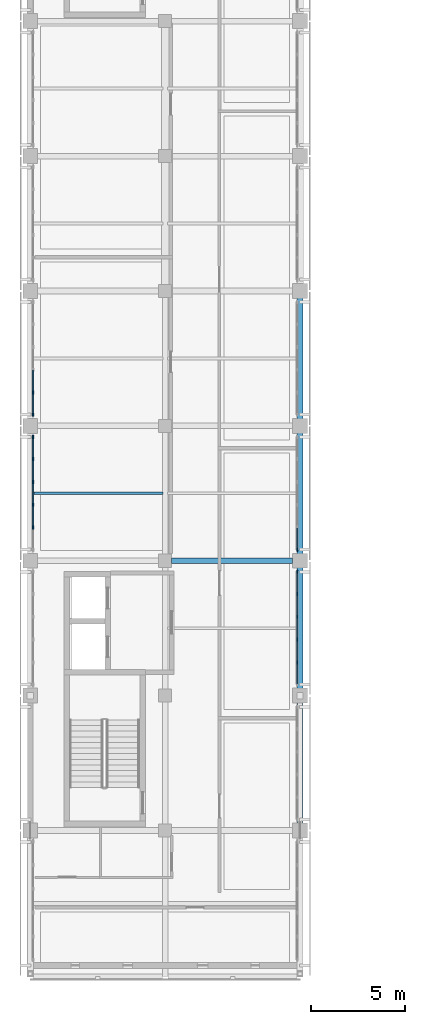
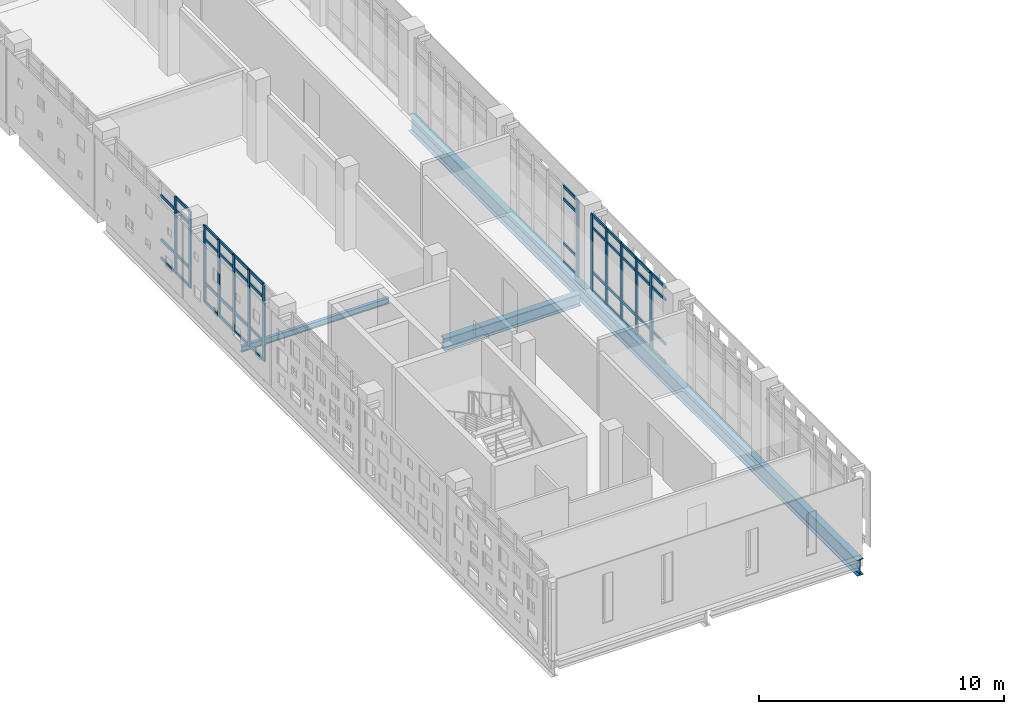
# One storey, part 9 of 33: 60 members, 3 beams, 4 elements without a shape of their own.
"""IFC4 building model written with IfcOpenShell, lengths in metres."""

from ifc_helpers import new_model, si_unit, direction, frame, origin, origin_2d, place, context, subcontext, project, spatial, rectangle, i_section, extrude, material, layer, layer_set, material_profile, profile_set, type_object, element, aggregate, save


model = new_model("IFC4")

# Units and contexts
model_context = context("Model", 3, precision=1e-05, world=origin(), true_north=direction((0.0, 1.0)))
body_context = subcontext(model_context, "Body", "Model", "MODEL_VIEW")
ifc_project = project(units=[si_unit("LENGTHUNIT", "METRE"), si_unit("AREAUNIT", "SQUARE_METRE"), si_unit("VOLUMEUNIT", "CUBIC_METRE"), si_unit("PLANEANGLEUNIT", "RADIAN"), si_unit("MASSUNIT", "GRAM", prefix="KILO")], contexts=[model_context])

# Site, building, storey
site_placement = place(None, origin())
site = spatial("IfcSite", under=ifc_project, at=site_placement, CompositionType="ELEMENT")
building_placement = place(site_placement, origin())
building = spatial("IfcBuilding", under=site, at=building_placement, Name="Valkovuoma Quantum and Materials Research Institute", CompositionType="ELEMENT")
storey_placement = place(building_placement, frame((0.0, 0.0, 25.60009765625)))
storey = spatial("IfcBuildingStorey", under=building, at=storey_placement, Name="L06", CompositionType="ELEMENT", Elevation=25.60009765625)

# Beams
ifc_material_1 = material(Name="Steel S355J2", Category="steel")
ifc_material_profile_1 = material_profile(ifc_material_1, i_section(OverallWidth=0.300048828125, OverallDepth=0.60009765625, WebThickness=0.015380859375, FlangeThickness=0.030029296875, FilletRadius=0.027099609375, at=origin_2d()), Name="Steel S355J2")
ifc_profile_set_1 = profile_set([ifc_material_profile_1], Name="Steel S355J2")
beam_type_1 = type_object("IfcBeamType", Name="Beam-B-HEB600", PredefinedType="BEAM", material=ifc_profile_set_1)
beam_1_placement = place(storey_placement, frame((7.550048828125, 43.199951171875, -0.650146484375), z_axis=(1.0, 0.0, 0.0), x_axis=(0.0, 1.0, 0.0)))
element("IfcBeam", 1, at=beam_1_placement, inside=storey, type_object=beam_type_1, Name="L06 beam X-2327", PredefinedType="BEAM", context=body_context, shape_type="SweptSolid", body=[
    extrude(i_section(OverallWidth=0.300048828125, OverallDepth=0.60009765625, WebThickness=0.015380859375, FlangeThickness=0.030029296875, FilletRadius=0.027099609375, at=origin_2d()), origin(), (0.0, 0.0, 1.0), 6.449951171875),
])
ifc_material_2 = material(Name="Steel S355J2", Category="steel")
ifc_material_profile_2 = material_profile(ifc_material_2, i_section(OverallWidth=0.300048828125, OverallDepth=0.800048828125, WebThickness=0.017578125, FlangeThickness=0.032958984375, FilletRadius=0.030029296875, at=origin_2d()), Name="Steel S355J2")
ifc_profile_set_2 = profile_set([ifc_material_profile_2], Name="Steel S355J2")
beam_type_2 = type_object("IfcBeamType", Name="Beam-B-HEB800", PredefinedType="BEAM", material=ifc_profile_set_2)
beam_2_placement = place(storey_placement, frame((14.39990234375, 21.0, -0.75), z_axis=(0.0, 1.0, 0.0), x_axis=(-1.0, 0.0, 0.0)))
element("IfcBeam", 2, at=beam_2_placement, inside=storey, type_object=beam_type_2, Name="L06 cantilever girder X2", PredefinedType="BEAM", context=body_context, shape_type="SweptSolid", body=[
    extrude(i_section(OverallWidth=0.300048828125, OverallDepth=0.800048828125, WebThickness=0.017578125, FlangeThickness=0.032958984375, FilletRadius=0.030029296875, at=origin_2d()), origin(), (0.0, 0.0, 1.0), 36.60009765625),
])
ifc_material_3 = material(Name="Steel S355J2", Category="steel")
ifc_material_profile_3 = material_profile(ifc_material_3, i_section(OverallWidth=0.14990234375, OverallDepth=0.300048828125, WebThickness=0.007080078125, FlangeThickness=0.0107421875, FilletRadius=0.014892578125, at=origin_2d()), Name="Steel S355J2")
ifc_profile_set_3 = profile_set([ifc_material_profile_3], Name="Steel S355J2")
beam_type_3 = type_object("IfcBeamType", Name="Beam-B-JST300", PredefinedType="JOIST", material=ifc_profile_set_3)
beam_3_placement = place(storey_placement, frame((0.1201171875, 46.800048828125, -0.5), z_axis=(1.0, 0.0, 0.0), x_axis=(0.0, 1.0, 0.0)))
element("IfcBeam", 3, at=beam_3_placement, inside=storey, type_object=beam_type_3, Name="L06 floor joist 2444", PredefinedType="JOIST", context=body_context, shape_type="SweptSolid", body=[
    extrude(i_section(OverallWidth=0.14990234375, OverallDepth=0.300048828125, WebThickness=0.007080078125, FlangeThickness=0.0107421875, FilletRadius=0.014892578125, at=origin_2d()), origin(), (0.0, 0.0, 1.0), 6.9599609375),
])

# Curtain wall, members
ifc_material_4 = material(Name="Thermally broken aluminium and triple low-E glazing", Category="aluminium")
ifc_layer = layer(ifc_material_4, 0.219970703125)
ifc_layer_set = layer_set([ifc_layer], Name="Thermally broken aluminium and triple low-E glazing")
curtain_wall_type = type_object("IfcCurtainWallType", Name="CW-CW-01", PredefinedType="NOTDEFINED", material=ifc_layer_set)
curtain_wall_1_placement = place(storey_placement, origin())
curtain_wall_1 = element("IfcCurtainWall", 4, at=curtain_wall_1_placement, inside=storey, type_object=curtain_wall_type, Name="L06 curtain wall 077", PredefinedType="NOTDEFINED")
ifc_material_5 = material(Name="Anodised aluminium 6060-T66", Category="aluminium")
ifc_material_profile_4 = material_profile(ifc_material_5, rectangle(XDim=0.06494140625, YDim=0.179931640625, at=origin_2d()), Name="Anodised aluminium 6060-T66")
ifc_profile_set_4 = profile_set([ifc_material_profile_4], Name="Anodised aluminium 6060-T66")
member_type_1 = type_object("IfcMemberType", Name="CWMull-CWM-01", PredefinedType="MULLION", material=ifc_profile_set_4)
member_1_placement = place(storey_placement, frame((14.25, 37.774169921875, 0.0), z_axis=(0.0, 0.0, 1.0), x_axis=(-1.0, 0.0, 0.0)))
member_1 = element("IfcMember", 5, at=member_1_placement, type_object=member_type_1, Name="CW-01 mullion 2", PredefinedType="MULLION", context=body_context, shape_type="SweptSolid", body=[
    extrude(rectangle(XDim=0.06494140625, YDim=0.179931640625, at=origin_2d()), origin(), (0.0, 0.0, 1.0), 3.809814453125),
])
member_2_placement = place(storey_placement, frame((14.25, 38.991455078125, 0.0), z_axis=(0.0, 0.0, 1.0), x_axis=(-1.0, 0.0, 0.0)))
member_2 = element("IfcMember", 6, at=member_2_placement, type_object=member_type_1, Name="CW-01 mullion 3", PredefinedType="MULLION", context=body_context, shape_type="SweptSolid", body=[
    extrude(rectangle(XDim=0.06494140625, YDim=0.179931640625, at=origin_2d()), origin(), (0.0, 0.0, 1.0), 3.809814453125),
])
member_3_placement = place(storey_placement, frame((14.25, 40.20849609375, 0.0), z_axis=(0.0, 0.0, 1.0), x_axis=(-1.0, 0.0, 0.0)))
member_3 = element("IfcMember", 7, at=member_3_placement, type_object=member_type_1, Name="CW-01 mullion 4", PredefinedType="MULLION", context=body_context, shape_type="SweptSolid", body=[
    extrude(rectangle(XDim=0.06494140625, YDim=0.179931640625, at=origin_2d()), origin(), (0.0, 0.0, 1.0), 3.809814453125),
])
member_4_placement = place(storey_placement, frame((14.25, 41.42578125, 0.0), z_axis=(0.0, 0.0, 1.0), x_axis=(-1.0, 0.0, 0.0)))
member_4 = element("IfcMember", 8, at=member_4_placement, type_object=member_type_1, Name="CW-01 mullion 5", PredefinedType="MULLION", context=body_context, shape_type="SweptSolid", body=[
    extrude(rectangle(XDim=0.06494140625, YDim=0.179931640625, at=origin_2d()), origin(), (0.0, 0.0, 1.0), 3.809814453125),
])
member_5_placement = place(storey_placement, frame((14.25, 42.6103515625, 0.0), z_axis=(0.0, 0.0, 1.0), x_axis=(-1.0, 0.0, 0.0)))
member_5 = element("IfcMember", 9, at=member_5_placement, type_object=member_type_1, Name="CW-01 mullion 6", PredefinedType="MULLION", context=body_context, shape_type="SweptSolid", body=[
    extrude(rectangle(XDim=0.06494140625, YDim=0.179931640625, at=origin_2d()), origin(), (0.0, 0.0, 1.0), 3.809814453125),
])

curtain_wall_2_placement = place(storey_placement, origin())
curtain_wall_2 = element("IfcCurtainWall", 10, at=curtain_wall_2_placement, inside=storey, type_object=curtain_wall_type, Name="L06 curtain wall 078", PredefinedType="NOTDEFINED")
member_6_placement = place(storey_placement, frame((0.14990234375, 44.974365234375, 0.0), z_axis=(0.0, 0.0, 1.0), x_axis=(-1.0, 0.0, 0.0)))
member_6 = element("IfcMember", 11, at=member_6_placement, type_object=member_type_1, Name="CW-01 mullion 2", PredefinedType="MULLION", context=body_context, shape_type="SweptSolid", body=[
    extrude(rectangle(XDim=0.06494140625, YDim=0.179931640625, at=origin_2d()), origin(), (0.0, 0.0, 1.0), 3.809814453125),
])
member_7_placement = place(storey_placement, frame((0.14990234375, 46.19140625, 0.0), z_axis=(0.0, 0.0, 1.0), x_axis=(-1.0, 0.0, 0.0)))
member_7 = element("IfcMember", 12, at=member_7_placement, type_object=member_type_1, Name="CW-01 mullion 3", PredefinedType="MULLION", context=body_context, shape_type="SweptSolid", body=[
    extrude(rectangle(XDim=0.06494140625, YDim=0.179931640625, at=origin_2d()), origin(), (0.0, 0.0, 1.0), 3.809814453125),
])
member_8_placement = place(storey_placement, frame((0.14990234375, 47.40869140625, 0.0), z_axis=(0.0, 0.0, 1.0), x_axis=(-1.0, 0.0, 0.0)))
member_8 = element("IfcMember", 13, at=member_8_placement, type_object=member_type_1, Name="CW-01 mullion 4", PredefinedType="MULLION", context=body_context, shape_type="SweptSolid", body=[
    extrude(rectangle(XDim=0.06494140625, YDim=0.179931640625, at=origin_2d()), origin(), (0.0, 0.0, 1.0), 3.809814453125),
])
member_9_placement = place(storey_placement, frame((0.14990234375, 48.625732421875, 0.0), z_axis=(0.0, 0.0, 1.0), x_axis=(-1.0, 0.0, 0.0)))
member_9 = element("IfcMember", 14, at=member_9_placement, type_object=member_type_1, Name="CW-01 mullion 5", PredefinedType="MULLION", context=body_context, shape_type="SweptSolid", body=[
    extrude(rectangle(XDim=0.06494140625, YDim=0.179931640625, at=origin_2d()), origin(), (0.0, 0.0, 1.0), 3.809814453125),
])
member_10_placement = place(storey_placement, frame((0.14990234375, 49.810302734375, 0.0), z_axis=(0.0, 0.0, 1.0), x_axis=(-1.0, 0.0, 0.0)))
member_10 = element("IfcMember", 15, at=member_10_placement, type_object=member_type_1, Name="CW-01 mullion 6", PredefinedType="MULLION", context=body_context, shape_type="SweptSolid", body=[
    extrude(rectangle(XDim=0.06494140625, YDim=0.179931640625, at=origin_2d()), origin(), (0.0, 0.0, 1.0), 3.809814453125),
])

# Curtain wall, member
curtain_wall_3_placement = place(storey_placement, origin())
curtain_wall_3 = element("IfcCurtainWall", 16, at=curtain_wall_3_placement, inside=storey, type_object=curtain_wall_type, Name="L06 curtain wall 079", PredefinedType="NOTDEFINED")
member_11_placement = place(storey_placement, frame((14.25, 43.78955078125, 0.0), z_axis=(0.0, 0.0, 1.0), x_axis=(-1.0, 0.0, 0.0)))
member_11 = element("IfcMember", 17, at=member_11_placement, type_object=member_type_1, Name="CW-01 mullion 1", PredefinedType="MULLION", context=body_context, shape_type="SweptSolid", body=[
    extrude(rectangle(XDim=0.06494140625, YDim=0.179931640625, at=origin_2d()), origin(), (0.0, 0.0, 1.0), 3.809814453125),
])

# Curtain wall, members
curtain_wall_4_placement = place(storey_placement, origin())
curtain_wall_4 = element("IfcCurtainWall", 18, at=curtain_wall_4_placement, inside=storey, type_object=curtain_wall_type, Name="L06 curtain wall 080", PredefinedType="NOTDEFINED")
member_12_placement = place(storey_placement, frame((0.14990234375, 50.989501953125, 0.0), z_axis=(0.0, 0.0, 1.0), x_axis=(-1.0, 0.0, 0.0)))
member_12 = element("IfcMember", 19, at=member_12_placement, type_object=member_type_1, Name="CW-01 mullion 1", PredefinedType="MULLION", context=body_context, shape_type="SweptSolid", body=[
    extrude(rectangle(XDim=0.06494140625, YDim=0.179931640625, at=origin_2d()), origin(), (0.0, 0.0, 1.0), 3.809814453125),
])
member_13_placement = place(storey_placement, frame((0.14990234375, 52.17431640625, 0.0), z_axis=(0.0, 0.0, 1.0), x_axis=(-1.0, 0.0, 0.0)))
member_13 = element("IfcMember", 20, at=member_13_placement, type_object=member_type_1, Name="CW-01 mullion 2", PredefinedType="MULLION", context=body_context, shape_type="SweptSolid", body=[
    extrude(rectangle(XDim=0.06494140625, YDim=0.179931640625, at=origin_2d()), origin(), (0.0, 0.0, 1.0), 3.809814453125),
])

# Member
ifc_material_6 = material(Name="Anodised aluminium 6060-T66", Category="aluminium")
ifc_material_profile_5 = material_profile(ifc_material_6, rectangle(XDim=0.06494140625, YDim=0.139892578125, at=origin_2d()), Name="Anodised aluminium 6060-T66")
ifc_profile_set_5 = profile_set([ifc_material_profile_5], Name="Anodised aluminium 6060-T66")
member_type_2 = type_object("IfcMemberType", Name="CWTran-CWT-01", PredefinedType="USERDEFINED", material=ifc_profile_set_5)
member_14_placement = place(storey_placement, frame((14.25, 36.6220703125, 0.032470703125), z_axis=(0.0, 1.0, 0.0), x_axis=(-1.0, 0.0, 0.0)))
member_14 = element("IfcMember", 21, at=member_14_placement, type_object=member_type_2, Name="CW-01 transom 1.1", ObjectType="TRANSOM", PredefinedType="USERDEFINED", context=body_context, shape_type="SweptSolid", body=[
    extrude(rectangle(XDim=0.06494140625, YDim=0.139892578125, at=origin_2d()), origin(), (0.0, 0.0, 1.0), 1.11962890625),
])

member_15_placement = place(storey_placement, frame((14.25, 36.6220703125, 0.949951171875), z_axis=(0.0, 1.0, 0.0), x_axis=(-1.0, 0.0, 0.0)))
member_15 = element("IfcMember", 22, at=member_15_placement, type_object=member_type_2, Name="CW-01 transom 1.2", ObjectType="TRANSOM", PredefinedType="USERDEFINED", context=body_context, shape_type="SweptSolid", body=[
    extrude(rectangle(XDim=0.06494140625, YDim=0.139892578125, at=origin_2d()), origin(), (0.0, 0.0, 1.0), 1.11962890625),
])

member_16_placement = place(storey_placement, frame((14.25, 36.6220703125, 3.159912109375), z_axis=(0.0, 1.0, 0.0), x_axis=(-1.0, 0.0, 0.0)))
member_16 = element("IfcMember", 23, at=member_16_placement, type_object=member_type_2, Name="CW-01 transom 1.3", ObjectType="TRANSOM", PredefinedType="USERDEFINED", context=body_context, shape_type="SweptSolid", body=[
    extrude(rectangle(XDim=0.06494140625, YDim=0.139892578125, at=origin_2d()), origin(), (0.0, 0.0, 1.0), 1.11962890625),
])

member_17_placement = place(storey_placement, frame((14.25, 36.6220703125, 3.77734375), z_axis=(0.0, 1.0, 0.0), x_axis=(-1.0, 0.0, 0.0)))
member_17 = element("IfcMember", 24, at=member_17_placement, type_object=member_type_2, Name="CW-01 transom 1.4", ObjectType="TRANSOM", PredefinedType="USERDEFINED", context=body_context, shape_type="SweptSolid", body=[
    extrude(rectangle(XDim=0.06494140625, YDim=0.139892578125, at=origin_2d()), origin(), (0.0, 0.0, 1.0), 1.11962890625),
])

member_18_placement = place(storey_placement, frame((14.25, 37.806640625, 0.032470703125), z_axis=(0.0, 1.0, 0.0), x_axis=(-1.0, 0.0, 0.0)))
member_18 = element("IfcMember", 25, at=member_18_placement, type_object=member_type_2, Name="CW-01 transom 2.1", ObjectType="TRANSOM", PredefinedType="USERDEFINED", context=body_context, shape_type="SweptSolid", body=[
    extrude(rectangle(XDim=0.06494140625, YDim=0.139892578125, at=origin_2d()), origin(), (0.0, 0.0, 1.0), 1.15234375),
])

member_19_placement = place(storey_placement, frame((14.25, 37.806640625, 0.949951171875), z_axis=(0.0, 1.0, 0.0), x_axis=(-1.0, 0.0, 0.0)))
member_19 = element("IfcMember", 26, at=member_19_placement, type_object=member_type_2, Name="CW-01 transom 2.2", ObjectType="TRANSOM", PredefinedType="USERDEFINED", context=body_context, shape_type="SweptSolid", body=[
    extrude(rectangle(XDim=0.06494140625, YDim=0.139892578125, at=origin_2d()), origin(), (0.0, 0.0, 1.0), 1.15234375),
])

member_20_placement = place(storey_placement, frame((14.25, 37.806640625, 3.159912109375), z_axis=(0.0, 1.0, 0.0), x_axis=(-1.0, 0.0, 0.0)))
member_20 = element("IfcMember", 27, at=member_20_placement, type_object=member_type_2, Name="CW-01 transom 2.3", ObjectType="TRANSOM", PredefinedType="USERDEFINED", context=body_context, shape_type="SweptSolid", body=[
    extrude(rectangle(XDim=0.06494140625, YDim=0.139892578125, at=origin_2d()), origin(), (0.0, 0.0, 1.0), 1.15234375),
])

member_21_placement = place(storey_placement, frame((14.25, 37.806640625, 3.77734375), z_axis=(0.0, 1.0, 0.0), x_axis=(-1.0, 0.0, 0.0)))
member_21 = element("IfcMember", 28, at=member_21_placement, type_object=member_type_2, Name="CW-01 transom 2.4", ObjectType="TRANSOM", PredefinedType="USERDEFINED", context=body_context, shape_type="SweptSolid", body=[
    extrude(rectangle(XDim=0.06494140625, YDim=0.139892578125, at=origin_2d()), origin(), (0.0, 0.0, 1.0), 1.15234375),
])

member_22_placement = place(storey_placement, frame((14.25, 39.02392578125, 0.032470703125), z_axis=(0.0, 1.0, 0.0), x_axis=(-1.0, 0.0, 0.0)))
member_22 = element("IfcMember", 29, at=member_22_placement, type_object=member_type_2, Name="CW-01 transom 3.1", ObjectType="TRANSOM", PredefinedType="USERDEFINED", context=body_context, shape_type="SweptSolid", body=[
    extrude(rectangle(XDim=0.06494140625, YDim=0.139892578125, at=origin_2d()), origin(), (0.0, 0.0, 1.0), 1.152099609375),
])

member_23_placement = place(storey_placement, frame((14.25, 39.02392578125, 0.949951171875), z_axis=(0.0, 1.0, 0.0), x_axis=(-1.0, 0.0, 0.0)))
member_23 = element("IfcMember", 30, at=member_23_placement, type_object=member_type_2, Name="CW-01 transom 3.2", ObjectType="TRANSOM", PredefinedType="USERDEFINED", context=body_context, shape_type="SweptSolid", body=[
    extrude(rectangle(XDim=0.06494140625, YDim=0.139892578125, at=origin_2d()), origin(), (0.0, 0.0, 1.0), 1.152099609375),
])

member_24_placement = place(storey_placement, frame((14.25, 39.02392578125, 3.159912109375), z_axis=(0.0, 1.0, 0.0), x_axis=(-1.0, 0.0, 0.0)))
member_24 = element("IfcMember", 31, at=member_24_placement, type_object=member_type_2, Name="CW-01 transom 3.3", ObjectType="TRANSOM", PredefinedType="USERDEFINED", context=body_context, shape_type="SweptSolid", body=[
    extrude(rectangle(XDim=0.06494140625, YDim=0.139892578125, at=origin_2d()), origin(), (0.0, 0.0, 1.0), 1.152099609375),
])

member_25_placement = place(storey_placement, frame((14.25, 39.02392578125, 3.77734375), z_axis=(0.0, 1.0, 0.0), x_axis=(-1.0, 0.0, 0.0)))
member_25 = element("IfcMember", 32, at=member_25_placement, type_object=member_type_2, Name="CW-01 transom 3.4", ObjectType="TRANSOM", PredefinedType="USERDEFINED", context=body_context, shape_type="SweptSolid", body=[
    extrude(rectangle(XDim=0.06494140625, YDim=0.139892578125, at=origin_2d()), origin(), (0.0, 0.0, 1.0), 1.152099609375),
])

member_26_placement = place(storey_placement, frame((14.25, 40.240966796875, 0.032470703125), z_axis=(0.0, 1.0, 0.0), x_axis=(-1.0, 0.0, 0.0)))
member_26 = element("IfcMember", 33, at=member_26_placement, type_object=member_type_2, Name="CW-01 transom 4.1", ObjectType="TRANSOM", PredefinedType="USERDEFINED", context=body_context, shape_type="SweptSolid", body=[
    extrude(rectangle(XDim=0.06494140625, YDim=0.139892578125, at=origin_2d()), origin(), (0.0, 0.0, 1.0), 1.15234375),
])

member_27_placement = place(storey_placement, frame((14.25, 40.240966796875, 0.949951171875), z_axis=(0.0, 1.0, 0.0), x_axis=(-1.0, 0.0, 0.0)))
member_27 = element("IfcMember", 34, at=member_27_placement, type_object=member_type_2, Name="CW-01 transom 4.2", ObjectType="TRANSOM", PredefinedType="USERDEFINED", context=body_context, shape_type="SweptSolid", body=[
    extrude(rectangle(XDim=0.06494140625, YDim=0.139892578125, at=origin_2d()), origin(), (0.0, 0.0, 1.0), 1.15234375),
])

member_28_placement = place(storey_placement, frame((14.25, 40.240966796875, 3.159912109375), z_axis=(0.0, 1.0, 0.0), x_axis=(-1.0, 0.0, 0.0)))
member_28 = element("IfcMember", 35, at=member_28_placement, type_object=member_type_2, Name="CW-01 transom 4.3", ObjectType="TRANSOM", PredefinedType="USERDEFINED", context=body_context, shape_type="SweptSolid", body=[
    extrude(rectangle(XDim=0.06494140625, YDim=0.139892578125, at=origin_2d()), origin(), (0.0, 0.0, 1.0), 1.15234375),
])

member_29_placement = place(storey_placement, frame((14.25, 40.240966796875, 3.77734375), z_axis=(0.0, 1.0, 0.0), x_axis=(-1.0, 0.0, 0.0)))
member_29 = element("IfcMember", 36, at=member_29_placement, type_object=member_type_2, Name="CW-01 transom 4.4", ObjectType="TRANSOM", PredefinedType="USERDEFINED", context=body_context, shape_type="SweptSolid", body=[
    extrude(rectangle(XDim=0.06494140625, YDim=0.139892578125, at=origin_2d()), origin(), (0.0, 0.0, 1.0), 1.15234375),
])

member_30_placement = place(storey_placement, frame((14.25, 41.458251953125, 0.032470703125), z_axis=(0.0, 1.0, 0.0), x_axis=(-1.0, 0.0, 0.0)))
member_30 = element("IfcMember", 37, at=member_30_placement, type_object=member_type_2, Name="CW-01 transom 5.1", ObjectType="TRANSOM", PredefinedType="USERDEFINED", context=body_context, shape_type="SweptSolid", body=[
    extrude(rectangle(XDim=0.06494140625, YDim=0.139892578125, at=origin_2d()), origin(), (0.0, 0.0, 1.0), 1.11962890625),
])

member_31_placement = place(storey_placement, frame((14.25, 41.458251953125, 0.949951171875), z_axis=(0.0, 1.0, 0.0), x_axis=(-1.0, 0.0, 0.0)))
member_31 = element("IfcMember", 38, at=member_31_placement, type_object=member_type_2, Name="CW-01 transom 5.2", ObjectType="TRANSOM", PredefinedType="USERDEFINED", context=body_context, shape_type="SweptSolid", body=[
    extrude(rectangle(XDim=0.06494140625, YDim=0.139892578125, at=origin_2d()), origin(), (0.0, 0.0, 1.0), 1.11962890625),
])

member_32_placement = place(storey_placement, frame((14.25, 41.458251953125, 3.159912109375), z_axis=(0.0, 1.0, 0.0), x_axis=(-1.0, 0.0, 0.0)))
member_32 = element("IfcMember", 39, at=member_32_placement, type_object=member_type_2, Name="CW-01 transom 5.3", ObjectType="TRANSOM", PredefinedType="USERDEFINED", context=body_context, shape_type="SweptSolid", body=[
    extrude(rectangle(XDim=0.06494140625, YDim=0.139892578125, at=origin_2d()), origin(), (0.0, 0.0, 1.0), 1.11962890625),
])

member_33_placement = place(storey_placement, frame((14.25, 41.458251953125, 3.77734375), z_axis=(0.0, 1.0, 0.0), x_axis=(-1.0, 0.0, 0.0)))
member_33 = element("IfcMember", 40, at=member_33_placement, type_object=member_type_2, Name="CW-01 transom 5.4", ObjectType="TRANSOM", PredefinedType="USERDEFINED", context=body_context, shape_type="SweptSolid", body=[
    extrude(rectangle(XDim=0.06494140625, YDim=0.139892578125, at=origin_2d()), origin(), (0.0, 0.0, 1.0), 1.11962890625),
])

aggregate(curtain_wall_1, [member_1, member_2, member_3, member_4, member_5, member_14, member_15, member_16, member_17, member_18, member_19, member_20, member_21, member_22, member_23, member_24, member_25, member_26, member_27, member_28, member_29, member_30, member_31, member_32, member_33])

member_34_placement = place(storey_placement, frame((0.14990234375, 45.0068359375, 0.032470703125), z_axis=(0.0, 1.0, 0.0), x_axis=(-1.0, 0.0, 0.0)))
member_34 = element("IfcMember", 41, at=member_34_placement, type_object=member_type_2, Name="CW-01 transom 2.1", ObjectType="TRANSOM", PredefinedType="USERDEFINED", context=body_context, shape_type="SweptSolid", body=[
    extrude(rectangle(XDim=0.06494140625, YDim=0.139892578125, at=origin_2d()), origin(), (0.0, 0.0, 1.0), 1.152099609375),
])

member_35_placement = place(storey_placement, frame((0.14990234375, 45.0068359375, 0.949951171875), z_axis=(0.0, 1.0, 0.0), x_axis=(-1.0, 0.0, 0.0)))
member_35 = element("IfcMember", 42, at=member_35_placement, type_object=member_type_2, Name="CW-01 transom 2.2", ObjectType="TRANSOM", PredefinedType="USERDEFINED", context=body_context, shape_type="SweptSolid", body=[
    extrude(rectangle(XDim=0.06494140625, YDim=0.139892578125, at=origin_2d()), origin(), (0.0, 0.0, 1.0), 1.152099609375),
])

member_36_placement = place(storey_placement, frame((0.14990234375, 45.0068359375, 3.159912109375), z_axis=(0.0, 1.0, 0.0), x_axis=(-1.0, 0.0, 0.0)))
member_36 = element("IfcMember", 43, at=member_36_placement, type_object=member_type_2, Name="CW-01 transom 2.3", ObjectType="TRANSOM", PredefinedType="USERDEFINED", context=body_context, shape_type="SweptSolid", body=[
    extrude(rectangle(XDim=0.06494140625, YDim=0.139892578125, at=origin_2d()), origin(), (0.0, 0.0, 1.0), 1.152099609375),
])

member_37_placement = place(storey_placement, frame((0.14990234375, 45.0068359375, 3.77734375), z_axis=(0.0, 1.0, 0.0), x_axis=(-1.0, 0.0, 0.0)))
member_37 = element("IfcMember", 44, at=member_37_placement, type_object=member_type_2, Name="CW-01 transom 2.4", ObjectType="TRANSOM", PredefinedType="USERDEFINED", context=body_context, shape_type="SweptSolid", body=[
    extrude(rectangle(XDim=0.06494140625, YDim=0.139892578125, at=origin_2d()), origin(), (0.0, 0.0, 1.0), 1.152099609375),
])

member_38_placement = place(storey_placement, frame((0.14990234375, 46.223876953125, 0.032470703125), z_axis=(0.0, 1.0, 0.0), x_axis=(-1.0, 0.0, 0.0)))
member_38 = element("IfcMember", 45, at=member_38_placement, type_object=member_type_2, Name="CW-01 transom 3.1", ObjectType="TRANSOM", PredefinedType="USERDEFINED", context=body_context, shape_type="SweptSolid", body=[
    extrude(rectangle(XDim=0.06494140625, YDim=0.139892578125, at=origin_2d()), origin(), (0.0, 0.0, 1.0), 1.152099609375),
])

member_39_placement = place(storey_placement, frame((0.14990234375, 46.223876953125, 0.949951171875), z_axis=(0.0, 1.0, 0.0), x_axis=(-1.0, 0.0, 0.0)))
member_39 = element("IfcMember", 46, at=member_39_placement, type_object=member_type_2, Name="CW-01 transom 3.2", ObjectType="TRANSOM", PredefinedType="USERDEFINED", context=body_context, shape_type="SweptSolid", body=[
    extrude(rectangle(XDim=0.06494140625, YDim=0.139892578125, at=origin_2d()), origin(), (0.0, 0.0, 1.0), 1.152099609375),
])

member_40_placement = place(storey_placement, frame((0.14990234375, 46.223876953125, 3.159912109375), z_axis=(0.0, 1.0, 0.0), x_axis=(-1.0, 0.0, 0.0)))
member_40 = element("IfcMember", 47, at=member_40_placement, type_object=member_type_2, Name="CW-01 transom 3.3", ObjectType="TRANSOM", PredefinedType="USERDEFINED", context=body_context, shape_type="SweptSolid", body=[
    extrude(rectangle(XDim=0.06494140625, YDim=0.139892578125, at=origin_2d()), origin(), (0.0, 0.0, 1.0), 1.152099609375),
])

member_41_placement = place(storey_placement, frame((0.14990234375, 46.223876953125, 3.77734375), z_axis=(0.0, 1.0, 0.0), x_axis=(-1.0, 0.0, 0.0)))
member_41 = element("IfcMember", 48, at=member_41_placement, type_object=member_type_2, Name="CW-01 transom 3.4", ObjectType="TRANSOM", PredefinedType="USERDEFINED", context=body_context, shape_type="SweptSolid", body=[
    extrude(rectangle(XDim=0.06494140625, YDim=0.139892578125, at=origin_2d()), origin(), (0.0, 0.0, 1.0), 1.152099609375),
])

member_42_placement = place(storey_placement, frame((0.14990234375, 47.441162109375, 0.032470703125), z_axis=(0.0, 1.0, 0.0), x_axis=(-1.0, 0.0, 0.0)))
member_42 = element("IfcMember", 49, at=member_42_placement, type_object=member_type_2, Name="CW-01 transom 4.1", ObjectType="TRANSOM", PredefinedType="USERDEFINED", context=body_context, shape_type="SweptSolid", body=[
    extrude(rectangle(XDim=0.06494140625, YDim=0.139892578125, at=origin_2d()), origin(), (0.0, 0.0, 1.0), 1.152099609375),
])

member_43_placement = place(storey_placement, frame((0.14990234375, 47.441162109375, 0.949951171875), z_axis=(0.0, 1.0, 0.0), x_axis=(-1.0, 0.0, 0.0)))
member_43 = element("IfcMember", 50, at=member_43_placement, type_object=member_type_2, Name="CW-01 transom 4.2", ObjectType="TRANSOM", PredefinedType="USERDEFINED", context=body_context, shape_type="SweptSolid", body=[
    extrude(rectangle(XDim=0.06494140625, YDim=0.139892578125, at=origin_2d()), origin(), (0.0, 0.0, 1.0), 1.152099609375),
])

member_44_placement = place(storey_placement, frame((0.14990234375, 47.441162109375, 3.159912109375), z_axis=(0.0, 1.0, 0.0), x_axis=(-1.0, 0.0, 0.0)))
member_44 = element("IfcMember", 51, at=member_44_placement, type_object=member_type_2, Name="CW-01 transom 4.3", ObjectType="TRANSOM", PredefinedType="USERDEFINED", context=body_context, shape_type="SweptSolid", body=[
    extrude(rectangle(XDim=0.06494140625, YDim=0.139892578125, at=origin_2d()), origin(), (0.0, 0.0, 1.0), 1.152099609375),
])

member_45_placement = place(storey_placement, frame((0.14990234375, 47.441162109375, 3.77734375), z_axis=(0.0, 1.0, 0.0), x_axis=(-1.0, 0.0, 0.0)))
member_45 = element("IfcMember", 52, at=member_45_placement, type_object=member_type_2, Name="CW-01 transom 4.4", ObjectType="TRANSOM", PredefinedType="USERDEFINED", context=body_context, shape_type="SweptSolid", body=[
    extrude(rectangle(XDim=0.06494140625, YDim=0.139892578125, at=origin_2d()), origin(), (0.0, 0.0, 1.0), 1.152099609375),
])

member_46_placement = place(storey_placement, frame((0.14990234375, 48.658203125, 0.032470703125), z_axis=(0.0, 1.0, 0.0), x_axis=(-1.0, 0.0, 0.0)))
member_46 = element("IfcMember", 53, at=member_46_placement, type_object=member_type_2, Name="CW-01 transom 5.1", ObjectType="TRANSOM", PredefinedType="USERDEFINED", context=body_context, shape_type="SweptSolid", body=[
    extrude(rectangle(XDim=0.06494140625, YDim=0.139892578125, at=origin_2d()), origin(), (0.0, 0.0, 1.0), 1.11962890625),
])

member_47_placement = place(storey_placement, frame((0.14990234375, 48.658203125, 0.949951171875), z_axis=(0.0, 1.0, 0.0), x_axis=(-1.0, 0.0, 0.0)))
member_47 = element("IfcMember", 54, at=member_47_placement, type_object=member_type_2, Name="CW-01 transom 5.2", ObjectType="TRANSOM", PredefinedType="USERDEFINED", context=body_context, shape_type="SweptSolid", body=[
    extrude(rectangle(XDim=0.06494140625, YDim=0.139892578125, at=origin_2d()), origin(), (0.0, 0.0, 1.0), 1.11962890625),
])

member_48_placement = place(storey_placement, frame((0.14990234375, 48.658203125, 3.159912109375), z_axis=(0.0, 1.0, 0.0), x_axis=(-1.0, 0.0, 0.0)))
member_48 = element("IfcMember", 55, at=member_48_placement, type_object=member_type_2, Name="CW-01 transom 5.3", ObjectType="TRANSOM", PredefinedType="USERDEFINED", context=body_context, shape_type="SweptSolid", body=[
    extrude(rectangle(XDim=0.06494140625, YDim=0.139892578125, at=origin_2d()), origin(), (0.0, 0.0, 1.0), 1.11962890625),
])

member_49_placement = place(storey_placement, frame((0.14990234375, 48.658203125, 3.77734375), z_axis=(0.0, 1.0, 0.0), x_axis=(-1.0, 0.0, 0.0)))
member_49 = element("IfcMember", 56, at=member_49_placement, type_object=member_type_2, Name="CW-01 transom 5.4", ObjectType="TRANSOM", PredefinedType="USERDEFINED", context=body_context, shape_type="SweptSolid", body=[
    extrude(rectangle(XDim=0.06494140625, YDim=0.139892578125, at=origin_2d()), origin(), (0.0, 0.0, 1.0), 1.11962890625),
])

aggregate(curtain_wall_2, [member_6, member_7, member_8, member_9, member_10, member_34, member_35, member_36, member_37, member_38, member_39, member_40, member_41, member_42, member_43, member_44, member_45, member_46, member_47, member_48, member_49])

member_50_placement = place(storey_placement, frame((14.25, 43.822021484375, 0.032470703125), z_axis=(0.0, 1.0, 0.0), x_axis=(-1.0, 0.0, 0.0)))
member_50 = element("IfcMember", 57, at=member_50_placement, type_object=member_type_2, Name="CW-01 transom 1.1", ObjectType="TRANSOM", PredefinedType="USERDEFINED", context=body_context, shape_type="SweptSolid", body=[
    extrude(rectangle(XDim=0.06494140625, YDim=0.139892578125, at=origin_2d()), origin(), (0.0, 0.0, 1.0), 1.11962890625),
])

member_51_placement = place(storey_placement, frame((14.25, 43.822021484375, 0.949951171875), z_axis=(0.0, 1.0, 0.0), x_axis=(-1.0, 0.0, 0.0)))
member_51 = element("IfcMember", 58, at=member_51_placement, type_object=member_type_2, Name="CW-01 transom 1.2", ObjectType="TRANSOM", PredefinedType="USERDEFINED", context=body_context, shape_type="SweptSolid", body=[
    extrude(rectangle(XDim=0.06494140625, YDim=0.139892578125, at=origin_2d()), origin(), (0.0, 0.0, 1.0), 1.11962890625),
])

member_52_placement = place(storey_placement, frame((14.25, 43.822021484375, 3.159912109375), z_axis=(0.0, 1.0, 0.0), x_axis=(-1.0, 0.0, 0.0)))
member_52 = element("IfcMember", 59, at=member_52_placement, type_object=member_type_2, Name="CW-01 transom 1.3", ObjectType="TRANSOM", PredefinedType="USERDEFINED", context=body_context, shape_type="SweptSolid", body=[
    extrude(rectangle(XDim=0.06494140625, YDim=0.139892578125, at=origin_2d()), origin(), (0.0, 0.0, 1.0), 1.11962890625),
])

member_53_placement = place(storey_placement, frame((14.25, 43.822021484375, 3.77734375), z_axis=(0.0, 1.0, 0.0), x_axis=(-1.0, 0.0, 0.0)))
member_53 = element("IfcMember", 60, at=member_53_placement, type_object=member_type_2, Name="CW-01 transom 1.4", ObjectType="TRANSOM", PredefinedType="USERDEFINED", context=body_context, shape_type="SweptSolid", body=[
    extrude(rectangle(XDim=0.06494140625, YDim=0.139892578125, at=origin_2d()), origin(), (0.0, 0.0, 1.0), 1.11962890625),
])

aggregate(curtain_wall_3, [member_11, member_50, member_51, member_52, member_53])

member_54_placement = place(storey_placement, frame((0.14990234375, 51.022216796875, 0.032470703125), z_axis=(0.0, 1.0, 0.0), x_axis=(-1.0, 0.0, 0.0)))
member_54 = element("IfcMember", 61, at=member_54_placement, type_object=member_type_2, Name="CW-01 transom 1.1", ObjectType="TRANSOM", PredefinedType="USERDEFINED", context=body_context, shape_type="SweptSolid", body=[
    extrude(rectangle(XDim=0.06494140625, YDim=0.139892578125, at=origin_2d()), origin(), (0.0, 0.0, 1.0), 1.11962890625),
])

member_55_placement = place(storey_placement, frame((0.14990234375, 51.022216796875, 0.949951171875), z_axis=(0.0, 1.0, 0.0), x_axis=(-1.0, 0.0, 0.0)))
member_55 = element("IfcMember", 62, at=member_55_placement, type_object=member_type_2, Name="CW-01 transom 1.2", ObjectType="TRANSOM", PredefinedType="USERDEFINED", context=body_context, shape_type="SweptSolid", body=[
    extrude(rectangle(XDim=0.06494140625, YDim=0.139892578125, at=origin_2d()), origin(), (0.0, 0.0, 1.0), 1.11962890625),
])

member_56_placement = place(storey_placement, frame((0.14990234375, 51.022216796875, 3.159912109375), z_axis=(0.0, 1.0, 0.0), x_axis=(-1.0, 0.0, 0.0)))
member_56 = element("IfcMember", 63, at=member_56_placement, type_object=member_type_2, Name="CW-01 transom 1.3", ObjectType="TRANSOM", PredefinedType="USERDEFINED", context=body_context, shape_type="SweptSolid", body=[
    extrude(rectangle(XDim=0.06494140625, YDim=0.139892578125, at=origin_2d()), origin(), (0.0, 0.0, 1.0), 1.11962890625),
])

member_57_placement = place(storey_placement, frame((0.14990234375, 51.022216796875, 3.77734375), z_axis=(0.0, 1.0, 0.0), x_axis=(-1.0, 0.0, 0.0)))
member_57 = element("IfcMember", 64, at=member_57_placement, type_object=member_type_2, Name="CW-01 transom 1.4", ObjectType="TRANSOM", PredefinedType="USERDEFINED", context=body_context, shape_type="SweptSolid", body=[
    extrude(rectangle(XDim=0.06494140625, YDim=0.139892578125, at=origin_2d()), origin(), (0.0, 0.0, 1.0), 1.11962890625),
])

member_58_placement = place(storey_placement, frame((0.14990234375, 52.206787109375, 0.032470703125), z_axis=(0.0, 1.0, 0.0), x_axis=(-1.0, 0.0, 0.0)))
member_58 = element("IfcMember", 65, at=member_58_placement, type_object=member_type_2, Name="CW-01 transom 2.1", ObjectType="TRANSOM", PredefinedType="USERDEFINED", context=body_context, shape_type="SweptSolid", body=[
    extrude(rectangle(XDim=0.06494140625, YDim=0.139892578125, at=origin_2d()), origin(), (0.0, 0.0, 1.0), 1.152099609375),
])

member_59_placement = place(storey_placement, frame((0.14990234375, 52.206787109375, 0.949951171875), z_axis=(0.0, 1.0, 0.0), x_axis=(-1.0, 0.0, 0.0)))
member_59 = element("IfcMember", 66, at=member_59_placement, type_object=member_type_2, Name="CW-01 transom 2.2", ObjectType="TRANSOM", PredefinedType="USERDEFINED", context=body_context, shape_type="SweptSolid", body=[
    extrude(rectangle(XDim=0.06494140625, YDim=0.139892578125, at=origin_2d()), origin(), (0.0, 0.0, 1.0), 1.152099609375),
])

member_60_placement = place(storey_placement, frame((0.14990234375, 52.206787109375, 3.159912109375), z_axis=(0.0, 1.0, 0.0), x_axis=(-1.0, 0.0, 0.0)))
member_60 = element("IfcMember", 67, at=member_60_placement, type_object=member_type_2, Name="CW-01 transom 2.3", ObjectType="TRANSOM", PredefinedType="USERDEFINED", context=body_context, shape_type="SweptSolid", body=[
    extrude(rectangle(XDim=0.06494140625, YDim=0.139892578125, at=origin_2d()), origin(), (0.0, 0.0, 1.0), 1.152099609375),
])

aggregate(curtain_wall_4, [member_12, member_13, member_54, member_55, member_56, member_57, member_58, member_59, member_60])

save(model, "model.ifc")
